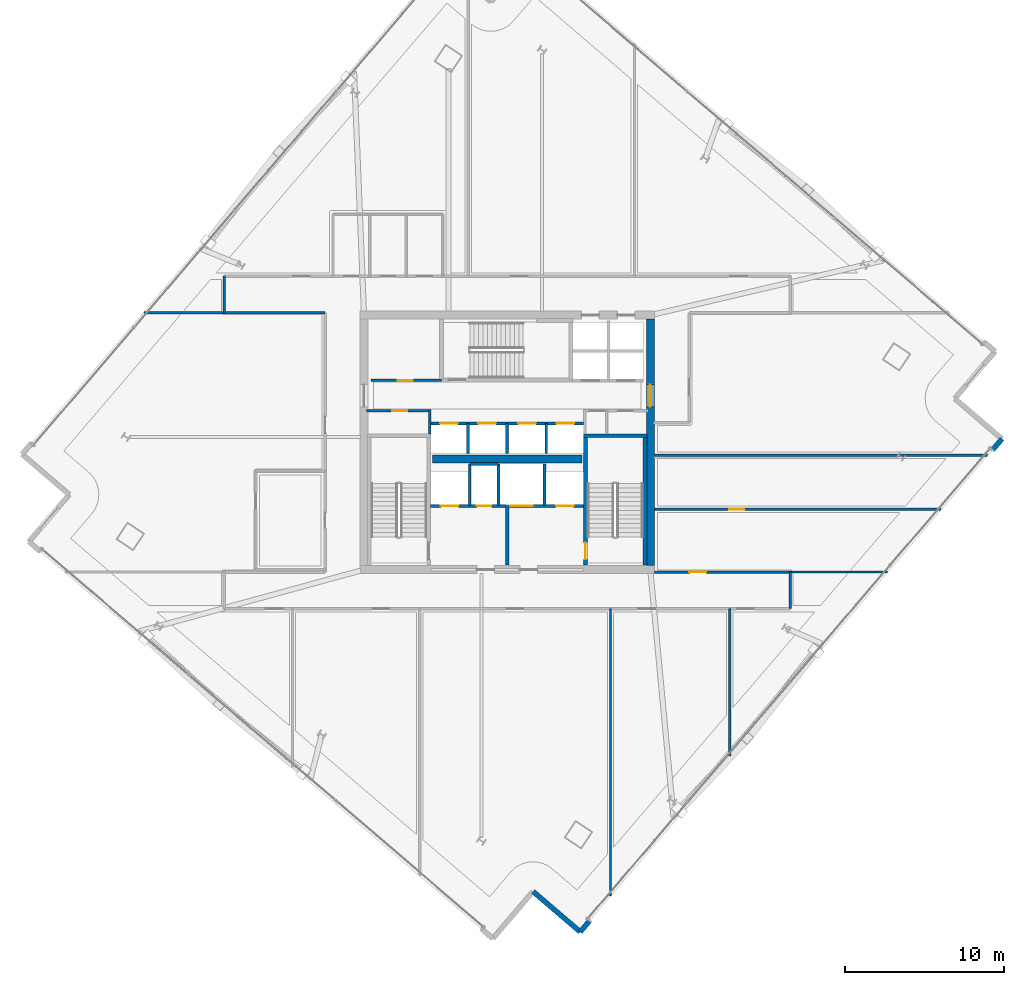
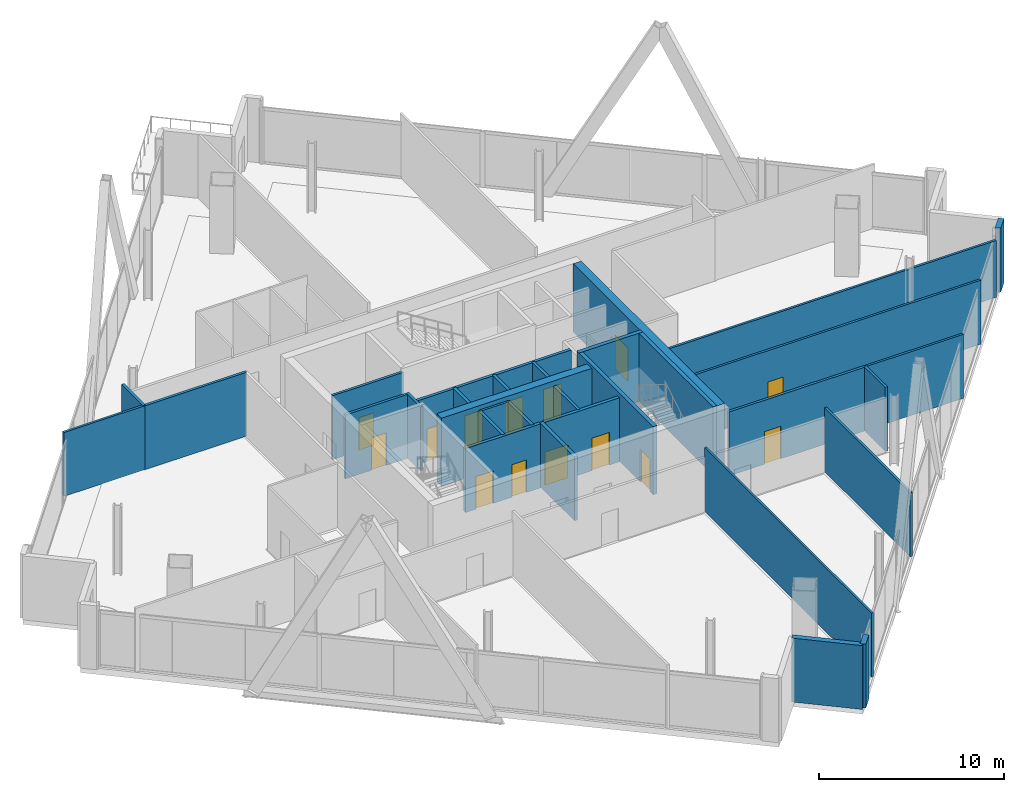
# One storey, part 19 of 26: 32 walls, 14 doors, 14 openings.
"""IFC4 building model written with IfcOpenShell, lengths in metres."""

import ifcopenshell
import ifcopenshell.guid

model = None  # the IFC model being written
_history = None  # IfcOwnerHistory: only IFC2X3 demands one
_inside = {}  # id of a spatial element -> (the spatial element, [elements in it])
_under = {}  # id of a project, library or spatial element -> (it, [spatial elements below it])
_declared = {}  # id of a project -> (the project, [libraries it declares])
_typed = {}  # id of a type object -> (the type object, [elements of that type])
_made_of = {}  # id of a material, layer set ... -> (it, [elements and type objects made of it])


def new_model(schema):
    """Start an empty IFC model of exactly this schema.

    Asked for "IFC4X3", IfcOpenShell would pick the latest addendum, in which some entities
    have other attributes; the version numbers below select the first issue.
    IFC2X3 requires an IfcOwnerHistory on every rooted entity: one is made here for all.
    """
    global model, _history
    if schema == "IFC4X3":
        model = ifcopenshell.file(schema_version=(4, 3, 0, 0))
    else:
        model = ifcopenshell.file(schema=schema)
    _inside.clear()
    _under.clear()
    _declared.clear()
    _typed.clear()
    _made_of.clear()
    _history = None
    if model.schema == "IFC2X3":
        org = make("IfcOrganization", Name="unknown")
        user = make(
            "IfcPersonAndOrganization",
            ThePerson=make("IfcPerson", FamilyName="unknown"),
            TheOrganization=org,
        )
        app = make(
            "IfcApplication",
            ApplicationDeveloper=org,
            Version="unknown",
            ApplicationFullName="unknown",
            ApplicationIdentifier="unknown",
        )
        _history = make(
            "IfcOwnerHistory",
            OwningUser=user,
            OwningApplication=app,
            ChangeAction="ADDED",
            CreationDate=0,
        )
    return model


def make(cls, **values):
    """One entity of the class cls with the attributes given. An attribute that is None is left unset."""
    return model.create_entity(
        cls, **{name: value for name, value in values.items() if value is not None}
    )


def rooted(cls, **values):
    """An entity with a GlobalId (a new one), such as an element, a storey or a relation."""
    return make(cls, GlobalId=ifcopenshell.guid.new(), OwnerHistory=_history, **values)


def si_unit(unit_type, name, prefix=None):
    """IfcSIUnit, for example si_unit("LENGTHUNIT", "METRE", prefix="MILLI")."""
    return make("IfcSIUnit", UnitType=unit_type, Prefix=prefix, Name=name)


def assignment(units):
    """IfcUnitAssignment: the units of a project."""
    return None if units is None else make("IfcUnitAssignment", Units=units)


def point(xyz):
    """IfcCartesianPoint."""
    return None if xyz is None else make("IfcCartesianPoint", Coordinates=xyz)


def direction(xyz):
    """IfcDirection."""
    return None if xyz is None else make("IfcDirection", DirectionRatios=xyz)


def frame(location, z_axis=None, x_axis=None):
    """IfcAxis2Placement3D, a coordinate frame: its origin and axes. An axis left out is left unset."""
    return make(
        "IfcAxis2Placement3D",
        Location=point(location),
        Axis=direction(z_axis),
        RefDirection=direction(x_axis),
    )


def frame_2d(location, x_axis=None):
    """IfcAxis2Placement2D, a coordinate frame in the plane: its origin and x axis."""
    return make(
        "IfcAxis2Placement2D", Location=point(location), RefDirection=direction(x_axis)
    )


def origin():
    """The frame at (0, 0, 0) with its axes left unset."""
    return frame((0.0, 0.0, 0.0))


def place(relative_to, where):
    """IfcLocalPlacement: puts the frame where relative to a parent placement (None: the world)."""
    return make(
        "IfcLocalPlacement", PlacementRelTo=relative_to, RelativePlacement=where
    )


def context(
    kind, dimensions, precision=None, world=None, true_north=None, identifier=None
):
    """IfcGeometricRepresentationContext, for example the 3D "Model" context."""
    return make(
        "IfcGeometricRepresentationContext",
        ContextIdentifier=identifier,
        ContextType=kind,
        CoordinateSpaceDimension=dimensions,
        Precision=precision,
        WorldCoordinateSystem=world,
        TrueNorth=true_north,
    )


def subcontext(parent, identifier, kind, view, scale=None):
    """IfcGeometricRepresentationSubContext, for example "Body" below "Model"."""
    return make(
        "IfcGeometricRepresentationSubContext",
        ContextIdentifier=identifier,
        ContextType=kind,
        ParentContext=parent,
        TargetScale=scale,
        TargetView=view,
    )


def project(units=None, contexts=None):
    """IfcProject with its units and contexts."""
    return rooted(
        "IfcProject",
        Name="project",
        RepresentationContexts=contexts,
        UnitsInContext=assignment(units),
    )


def spatial(cls, under=None, at=None, **own):
    """A site, building, storey or space (cls), placed at a placement, below another one or the project."""
    s = rooted(cls, ObjectPlacement=at, **own)
    if under is not None:
        _under.setdefault(under.id(), (under, []))[1].append(s)
    return s


def profile(cls, at=None, kind="AREA", **sizes):
    """A parametric profile (cls). Its sizes go by their IFC names, for example OverallWidth=200.0."""
    return make(cls, ProfileType=kind, Position=at, **sizes)


def rectangle(**sizes):
    """IfcRectangleProfileDef."""
    return profile("IfcRectangleProfileDef", **sizes)


def extrude(swept, where, along, depth):
    """IfcExtrudedAreaSolid: the profile swept, set in the frame where, extruded along a direction by depth."""
    return make(
        "IfcExtrudedAreaSolid",
        SweptArea=swept,
        Position=where,
        ExtrudedDirection=direction(along),
        Depth=depth,
    )


def shape(context_of_items, identifier, shape_type, items):
    """IfcShapeRepresentation: the items that make up one representation, for example the "Body"."""
    return make(
        "IfcShapeRepresentation",
        ContextOfItems=context_of_items,
        RepresentationIdentifier=identifier,
        RepresentationType=shape_type,
        Items=items,
    )


def material(Name=None, Category=None):
    """IfcMaterial."""
    return make("IfcMaterial", Name=Name, Category=Category)


def layer(
    of_material, thickness, ventilated=None, Name=None, Category=None, Priority=None
):
    """IfcMaterialLayer: one layer of a wall or slab, of a material (None: an air gap)."""
    return make(
        "IfcMaterialLayer",
        Material=of_material,
        LayerThickness=thickness,
        IsVentilated=ventilated,
        Name=Name,
        Category=Category,
        Priority=Priority,
    )


def layer_set(layers, Name=None):
    """IfcMaterialLayerSet."""
    return make("IfcMaterialLayerSet", MaterialLayers=layers, LayerSetName=Name)


def made_of(thing, what):
    """Note that an element or type object is made of a material, layer set ...; save() writes the relation."""
    if what is not None:
        _made_of.setdefault(what.id(), (what, []))[1].append(thing)
    return thing


def type_object(cls, material=None, **own):
    """A type object (cls), such as IfcWallType, which elements share."""
    return made_of(rooted(cls, **own), material)


def element(
    cls,
    number,
    at=None,
    inside=None,
    cuts=None,
    type_object=None,
    material=None,
    context=None,
    identifier="Body",
    shape_type=None,
    held_by="IfcProductDefinitionShape",
    body=None,
    shapes=None,
    **own,
):
    """One element of the class cls, such as IfcWall. Its Tag is "e" and its number.

    at: its placement. inside: the storey or other place that contains it. cuts: it is an
    opening in that element (IfcRelVoidsElement). A single representation is given by context,
    identifier, shape_type and body (its items); several are given by shapes. held_by: the class
    of the entity that holds the representations. save() writes the other relations.
    """
    e = rooted(cls, Tag="e%d" % number, ObjectPlacement=at, **own)
    if body is not None:
        shapes = [shape(context, identifier, shape_type, body)]
    if shapes is not None:
        e.Representation = make(held_by, Representations=shapes)
    if inside is not None:
        _inside.setdefault(inside.id(), (inside, []))[1].append(e)
    if cuts is not None:
        rooted(
            "IfcRelVoidsElement", RelatingBuildingElement=cuts, RelatedOpeningElement=e
        )
    if type_object is not None:
        _typed.setdefault(type_object.id(), (type_object, []))[1].append(e)
    return made_of(e, material)


def fill(opening, filler):
    """IfcRelFillsElement: the door or window that sits in an opening."""
    return rooted(
        "IfcRelFillsElement",
        RelatingOpeningElement=opening,
        RelatedBuildingElement=filler,
    )


def aggregate(whole, parts):
    """IfcRelAggregates: a whole, such as a stair, and the parts it consists of."""
    return rooted("IfcRelAggregates", RelatingObject=whole, RelatedObjects=parts)


def save(model, path):
    """Write the relations noted so far, then the file.

    IfcRelAggregates (storeys below a building ...), IfcRelContainedInSpatialStructure (elements
    in a storey), IfcRelDefinesByType, IfcRelAssociatesMaterial and IfcRelDeclares: one each for
    every whole, place, type object, material and project.
    """
    for whole, parts in _under.values():
        aggregate(whole, parts)
    for where, things in _inside.values():
        rooted(
            "IfcRelContainedInSpatialStructure",
            RelatedElements=things,
            RelatingStructure=where,
        )
    for kind, things in _typed.values():
        rooted("IfcRelDefinesByType", RelatedObjects=things, RelatingType=kind)
    for what, things in _made_of.values():
        rooted("IfcRelAssociatesMaterial", RelatedObjects=things, RelatingMaterial=what)
    for by, libraries in _declared.values():
        rooted("IfcRelDeclares", RelatingContext=by, RelatedDefinitions=libraries)
    model.write(path)


model = new_model("IFC4")

# Units and contexts
model_context = context("Model", 3, precision=1e-05, world=origin(), true_north=direction((0.0, 1.0)))
body_context = subcontext(model_context, "Body", "Model", "MODEL_VIEW")
ifc_project = project(units=[si_unit("LENGTHUNIT", "METRE"), si_unit("AREAUNIT", "SQUARE_METRE"), si_unit("VOLUMEUNIT", "CUBIC_METRE"), si_unit("PLANEANGLEUNIT", "RADIAN"), si_unit("MASSUNIT", "GRAM", prefix="KILO")], contexts=[model_context])

# Site, building, storey
site_placement = place(None, origin())
site = spatial("IfcSite", under=ifc_project, at=site_placement, CompositionType="ELEMENT")
building_placement = place(site_placement, origin())
building = spatial("IfcBuilding", under=site, at=building_placement, Name="Haldenkirk Collegiate Tower", CompositionType="ELEMENT")
storey_placement = place(building_placement, frame((0.0, 0.0, 193.949951171875)))
storey = spatial("IfcBuildingStorey", under=building, at=storey_placement, Name="L48", CompositionType="ELEMENT", Elevation=193.949951171875)

# Wall, opening, door
ifc_material_1 = material(Name="Concrete f'c 55 MPa", Category="concrete")
ifc_layer_1 = layer(ifc_material_1, 0.5)
ifc_layer_set_1 = layer_set([ifc_layer_1], Name="Concrete f'c 55 MPa")
wall_type_1 = type_object("IfcWallType", Name="WL-CORE-500", PredefinedType="SHEAR", material=ifc_layer_set_1)
wall_1_placement = place(storey_placement, frame((45.0, 18.25, 0.0), z_axis=(0.0, 0.0, 1.0), x_axis=(0.0, 1.0, 0.0)))
wall_1 = element("IfcWall", 1, at=wall_1_placement, inside=storey, type_object=wall_type_1, Name="L48 central core shear wall E", PredefinedType="SHEAR", context=body_context, shape_type="SweptSolid", body=[
    extrude(rectangle(XDim=15.5, YDim=0.5, at=frame_2d((7.75, 0.0))), origin(), (0.0, 0.0, 1.0), 4.5),
])
opening_1_placement = place(wall_1_placement, frame((9.989990234375, 0.0, 0.0)))
opening_1 = element("IfcOpeningElement", 2, at=opening_1_placement, cuts=wall_1, Name="Opening D-03", PredefinedType="OPENING", context=body_context, shape_type="SweptSolid", body=[
    extrude(rectangle(XDim=1.39990234375, YDim=2.199951171875, at=frame_2d((0.699951171875, 1.10009765625))), frame((0.0, 0.260009765625, 0.0), z_axis=(0.0, -1.0, 0.0), x_axis=(1.0, 0.0, 0.0)), (0.0, 0.0, 1.0), 0.52001953125),
])
ifc_material_2 = material(Name="Galvanized fire-rated hollow steel door", Category="steel")
ifc_layer_2 = layer(ifc_material_2, 0.06005859375)
ifc_layer_set_2 = layer_set([ifc_layer_2], Name="Galvanized fire-rated hollow steel door")
door_type_1 = type_object("IfcDoorType", Name="DR-LOBBY-FD90-1400", OperationType="NOTDEFINED", PredefinedType="DOOR", material=ifc_layer_set_2)
door_1_placement = place(opening_1_placement, origin())
door_1 = element("IfcDoor", 3, at=door_1_placement, inside=storey, type_object=door_type_1, Name="L48 east lift lobby portal", OperationType="DOUBLE_DOOR_SINGLE_SWING", OverallHeight=2.199951171875, OverallWidth=1.39990234375, PredefinedType="DOOR", context=body_context, shape_type="SweptSolid", body=[
    extrude(rectangle(XDim=1.39990234375, YDim=2.199951171875, at=frame_2d((0.699951171875, 1.10009765625))), frame((0.0, 0.02490234375, 0.0), z_axis=(0.0, -1.0, 0.0), x_axis=(1.0, 0.0, 0.0)), (0.0, 0.0, 1.0), 0.050048828125),
])
fill(opening_1, door_1)

# Walls
wall_2_placement = place(storey_placement, frame((31.31005859375, 24.949951171875, 0.0), z_axis=(0.0, 0.0, 1.0), x_axis=(1.0, 0.0, 0.0)))
element("IfcWall", 4, at=wall_2_placement, inside=storey, type_object=wall_type_1, Name="L48 central core spine shear wall", PredefinedType="SHEAR", context=body_context, shape_type="SweptSolid", body=[
    extrude(rectangle(XDim=9.3798828125, YDim=0.5, at=frame_2d((4.68994140625, 0.0))), origin(), (0.0, 0.0, 1.0), 4.5),
])
ifc_material_3 = material(Name="Precast concrete f'c 40 MPa", Category="concrete")
ifc_layer_3 = layer(ifc_material_3, 0.320068359375)
ifc_layer_set_3 = layer_set([ifc_layer_3], Name="Precast concrete f'c 40 MPa")
wall_type_2 = type_object("IfcWallType", Name="WL-EXT-TWR-320", PredefinedType="STANDARD", material=ifc_layer_set_3)
for number, where, z_axis, x_axis, name in (
    (5, (67.118408203125, 26.22314453125, 0.0), (0.0, 0.0, 1.0), (-0.650031411695, -0.759907338963, 0.0), "L48 precast corner pier SL"),
    (6, (41.178955078125, -4.094482421875, 0.0), (0.0, 0.0, 1.0), (-0.650031411695, -0.759907338963, 0.0), "L48 precast corner pier SR"),
):
    element("IfcWall", number, at=place(storey_placement, frame(where, z_axis=z_axis, x_axis=x_axis)), inside=storey, type_object=wall_type_2, Name=name, PredefinedType="STANDARD", context=body_context, shape_type="SweptSolid", body=[
        extrude(rectangle(XDim=0.89990234375, YDim=0.320068359375, at=frame_2d((0.449951171875, 0.0))), origin(), (0.0, 0.0, 1.0), 4.219970703125),
    ])
wall_3_placement = place(storey_placement, frame((40.593994140625, -4.7783203125, 0.0), z_axis=(0.0, 0.0, 1.0), x_axis=(-0.759844000319, 0.650105449276, 0.0)))
element("IfcWall", 7, at=wall_3_placement, inside=storey, type_object=wall_type_2, Name="L48 bronze precast notch wall 12", PredefinedType="STANDARD", context=body_context, shape_type="SweptSolid", body=[
    extrude(rectangle(XDim=3.89990234375, YDim=0.320068359375, at=frame_2d((1.949951171875, 0.0))), origin(), (0.0, 0.0, 1.0), 4.219970703125),
])

# Wall, opening, door
ifc_material_4 = material(Name="Acoustic fire-rated gypsum partition", Category="concrete")
ifc_layer_4 = layer(ifc_material_4, 0.159912109375)
ifc_layer_set_4 = layer_set([ifc_layer_4], Name="Acoustic fire-rated gypsum partition")
wall_type_3 = type_object("IfcWallType", Name="WL-INT-CORR-160", PredefinedType="PARTITIONING", material=ifc_layer_set_4)
wall_4_placement = place(storey_placement, frame((27.14990234375, 27.97998046875, 0.0), z_axis=(0.0, 0.0, 1.0), x_axis=(1.0, 0.0, 0.0)))
wall_4 = element("IfcWall", 8, at=wall_4_placement, inside=storey, type_object=wall_type_3, Name="L48 interior partition IW-L48-VCSW-N", PredefinedType="PARTITIONING", context=body_context, shape_type="SweptSolid", body=[
    extrude(rectangle(XDim=4.050048828125, YDim=0.159912109375, at=frame_2d((2.02490234375, 0.0))), origin(), (0.0, 0.0, 1.0), 4.219970703125),
])
opening_2_placement = place(wall_4_placement, frame((1.625, 0.0, 0.0)))
opening_2 = element("IfcOpeningElement", 9, at=opening_2_placement, cuts=wall_4, Name="Opening D-10", PredefinedType="OPENING", context=body_context, shape_type="SweptSolid", body=[
    extrude(rectangle(XDim=0.949951171875, YDim=2.14990234375, at=frame_2d((0.47509765625, 1.074951171875))), frame((0.0, 0.08984375, 0.0), z_axis=(0.0, -1.0, 0.0), x_axis=(1.0, 0.0, 0.0)), (0.0, 0.0, 1.0), 0.179931640625),
])
ifc_material_5 = material(Name="Solid-core architectural oak fire door", Category="wood")
ifc_layer_5 = layer(ifc_material_5, 0.06005859375)
ifc_layer_set_5 = layer_set([ifc_layer_5], Name="Solid-core architectural oak fire door")
door_type_2 = type_object("IfcDoorType", Name="DR-INT-FD60-950", OperationType="NOTDEFINED", PredefinedType="DOOR", material=ifc_layer_set_5)
door_2_placement = place(opening_2_placement, origin())
door_2 = element("IfcDoor", 10, at=door_2_placement, inside=storey, type_object=door_type_2, Name="L48 core tea pantry door", OperationType="SINGLE_SWING_LEFT", OverallHeight=2.14990234375, OverallWidth=0.949951171875, PredefinedType="DOOR", context=body_context, shape_type="SweptSolid", body=[
    extrude(rectangle(XDim=0.949951171875, YDim=2.14990234375, at=frame_2d((0.47509765625, 1.074951171875))), frame((0.0, 0.02490234375, 0.0), z_axis=(0.0, -1.0, 0.0), x_axis=(1.0, 0.0, 0.0)), (0.0, 0.0, 1.0), 0.050048828125),
])
fill(opening_2, door_2)

# Wall
wall_5_placement = place(storey_placement, frame((31.1201171875, 26.5400390625, 0.0), z_axis=(0.0, 0.0, 1.0), x_axis=(0.0, 1.0, 0.0)))
element("IfcWall", 11, at=wall_5_placement, inside=storey, type_object=wall_type_3, Name="L48 interior partition IW-L48-VCSW-E", PredefinedType="PARTITIONING", context=body_context, shape_type="SweptSolid", body=[
    extrude(rectangle(XDim=1.510009765625, YDim=0.159912109375, at=frame_2d((0.7548828125, 0.0))), origin(), (0.0, 0.0, 1.0), 4.219970703125),
])

# Wall, opening, door
wall_6_placement = place(storey_placement, frame((27.449951171875, 29.89990234375, 0.0), z_axis=(0.0, 0.0, 1.0), x_axis=(1.0, 0.0, 0.0)))
wall_6 = element("IfcWall", 12, at=wall_6_placement, inside=storey, type_object=wall_type_3, Name="L48 interior partition IW-L48-PLS", PredefinedType="PARTITIONING", context=body_context, shape_type="SweptSolid", body=[
    extrude(rectangle(XDim=4.429931640625, YDim=0.159912109375, at=frame_2d((2.21484375, 0.0))), origin(), (0.0, 0.0, 1.0), 4.219970703125),
])
opening_3_placement = place(wall_6_placement, frame((1.675048828125, 0.0, 0.0)))
opening_3 = element("IfcOpeningElement", 13, at=opening_3_placement, cuts=wall_6, Name="Opening D-10", PredefinedType="OPENING", context=body_context, shape_type="SweptSolid", body=[
    extrude(rectangle(XDim=0.949951171875, YDim=2.14990234375, at=frame_2d((0.47509765625, 1.074951171875))), frame((0.0, 0.08984375, 0.0), z_axis=(0.0, -1.0, 0.0), x_axis=(1.0, 0.0, 0.0)), (0.0, 0.0, 1.0), 0.179931640625),
])
door_3_placement = place(opening_3_placement, origin())
door_3 = element("IfcDoor", 14, at=door_3_placement, inside=storey, type_object=door_type_2, Name="L48 archive door", OperationType="SINGLE_SWING_RIGHT", OverallHeight=2.14990234375, OverallWidth=0.949951171875, PredefinedType="DOOR", context=body_context, shape_type="SweptSolid", body=[
    extrude(rectangle(XDim=0.949951171875, YDim=2.14990234375, at=frame_2d((0.47509765625, 1.074951171875))), frame((0.0, 0.02490234375, 0.0), z_axis=(0.0, -1.0, 0.0), x_axis=(1.0, 0.0, 0.0)), (0.0, 0.0, 1.0), 0.050048828125),
])
fill(opening_3, door_3)

wall_7_placement = place(storey_placement, frame((45.25, 17.85009765625, 0.0), z_axis=(0.0, 0.0, 1.0), x_axis=(1.0, 0.0, 0.0)))
wall_7 = element("IfcWall", 15, at=wall_7_placement, inside=storey, type_object=wall_type_3, Name="L48 interior partition IW-L48-CSE", PredefinedType="PARTITIONING", context=body_context, shape_type="SweptSolid", body=[
    extrude(rectangle(XDim=8.550048828125, YDim=0.159912109375, at=frame_2d((4.27490234375, 0.0))), origin(), (0.0, 0.0, 1.0), 4.219970703125),
])
opening_4_placement = place(wall_7_placement, frame((2.2109375, 0.0, 0.0)))
opening_4 = element("IfcOpeningElement", 16, at=opening_4_placement, cuts=wall_7, Name="Opening D-09", PredefinedType="OPENING", context=body_context, shape_type="SweptSolid", body=[
    extrude(rectangle(XDim=1.050048828125, YDim=2.14990234375, at=frame_2d((0.52490234375, 1.074951171875))), frame((0.0, 0.08984375, 0.0), z_axis=(0.0, -1.0, 0.0), x_axis=(1.0, 0.0, 0.0)), (0.0, 0.0, 1.0), 0.179931640625),
])
ifc_layer_6 = layer(ifc_material_5, 0.06005859375)
ifc_layer_set_6 = layer_set([ifc_layer_6], Name="Solid-core architectural oak fire door")
door_type_3 = type_object("IfcDoorType", Name="DR-INT-FD60-1050", OperationType="NOTDEFINED", PredefinedType="DOOR", material=ifc_layer_set_6)
door_4_placement = place(opening_4_placement, origin())
door_4 = element("IfcDoor", 17, at=door_4_placement, inside=storey, type_object=door_type_3, Name="L48 Graduate Study Lounge 10 door", OperationType="SINGLE_SWING_LEFT", OverallHeight=2.14990234375, OverallWidth=1.050048828125, PredefinedType="DOOR", context=body_context, shape_type="SweptSolid", body=[
    extrude(rectangle(XDim=1.050048828125, YDim=2.14990234375, at=frame_2d((0.52490234375, 1.074951171875))), frame((0.0, 0.02490234375, 0.0), z_axis=(0.0, -1.0, 0.0), x_axis=(1.0, 0.0, 0.0)), (0.0, 0.0, 1.0), 0.050048828125),
])
fill(opening_4, door_4)

# Walls
wall_8_placement = place(storey_placement, frame((18.199951171875, 34.14990234375, 0.0), z_axis=(0.0, 0.0, 1.0), x_axis=(1.0, 0.0, 0.0)))
element("IfcWall", 18, at=wall_8_placement, inside=storey, type_object=wall_type_3, Name="L48 interior partition IW-L48-CNW", PredefinedType="PARTITIONING", context=body_context, shape_type="SweptSolid", body=[
    extrude(rectangle(XDim=6.35009765625, YDim=0.159912109375, at=frame_2d((3.175048828125, 0.0))), origin(), (0.0, 0.0, 1.0), 4.219970703125),
])
for number, where, z_axis, x_axis, name in (
    (19, (53.800048828125, 15.550048828125, 0.0), (0.0, 0.0, 1.0), (0.0, 1.0, 0.0), "L48 interior partition IW-L48-CSR"),
    (20, (18.199951171875, 34.14990234375, 0.0), (0.0, 0.0, 1.0), (0.0, 1.0, 0.0), "L48 interior partition IW-L48-CNL"),
):
    element("IfcWall", number, at=place(storey_placement, frame(where, z_axis=z_axis, x_axis=x_axis)), inside=storey, type_object=wall_type_3, Name=name, PredefinedType="PARTITIONING", context=body_context, shape_type="SweptSolid", body=[
        extrude(rectangle(XDim=2.300048828125, YDim=0.159912109375, at=frame_2d((1.14990234375, 0.0))), origin(), (0.0, 0.0, 1.0), 4.219970703125),
    ])
ifc_layer_7 = layer(ifc_material_4, 0.139892578125)
ifc_layer_set_7 = layer_set([ifc_layer_7], Name="Acoustic fire-rated gypsum partition")
wall_type_4 = type_object("IfcWallType", Name="WL-INT-DIV-140", PredefinedType="PARTITIONING", material=ifc_layer_set_7)
wall_9_placement = place(storey_placement, frame((13.15087890625, 34.14990234375, 0.0), z_axis=(0.0, 0.0, 1.0), x_axis=(1.0, 0.0, 0.0)))
element("IfcWall", 21, at=wall_9_placement, inside=storey, type_object=wall_type_4, Name="L48 interior partition IW-L48-BWN", PredefinedType="PARTITIONING", context=body_context, shape_type="SweptSolid", body=[
    extrude(rectangle(XDim=5.049072265625, YDim=0.139892578125, at=frame_2d((2.5244140625, 0.0))), origin(), (0.0, 0.0, 1.0), 4.219970703125),
])
wall_10_placement = place(storey_placement, frame((53.800048828125, 17.85009765625, 0.0), z_axis=(0.0, 0.0, 1.0), x_axis=(1.0, 0.0, 0.0)))
element("IfcWall", 22, at=wall_10_placement, inside=storey, type_object=wall_type_4, Name="L48 interior partition IW-L48-BES", PredefinedType="PARTITIONING", context=body_context, shape_type="SweptSolid", body=[
    extrude(rectangle(XDim=6.101806640625, YDim=0.139892578125, at=frame_2d((3.05078125, 0.0))), origin(), (0.0, 0.0, 1.0), 4.219970703125),
])
wall_11_placement = place(storey_placement, frame((50.0, 6.27685546875, 0.0), z_axis=(0.0, 0.0, 1.0), x_axis=(0.0, 1.0, 0.0)))
element("IfcWall", 23, at=wall_11_placement, inside=storey, type_object=wall_type_4, Name="L48 interior partition IW-L48-RS4", PredefinedType="PARTITIONING", context=body_context, shape_type="SweptSolid", body=[
    extrude(rectangle(XDim=9.273193359375, YDim=0.139892578125, at=frame_2d((4.63671875, 0.0))), origin(), (0.0, 0.0, 1.0), 4.219970703125),
])

# Wall, opening, door
wall_12_placement = place(storey_placement, frame((45.25, 21.800048828125, 0.0), z_axis=(0.0, 0.0, 1.0), x_axis=(1.0, 0.0, 0.0)))
wall_12 = element("IfcWall", 24, at=wall_12_placement, inside=storey, type_object=wall_type_4, Name="L48 interior partition IW-L48-RE1", PredefinedType="PARTITIONING", context=body_context, shape_type="SweptSolid", body=[
    extrude(rectangle(XDim=18.031494140625, YDim=0.139892578125, at=frame_2d((9.015625, 0.0))), origin(), (0.0, 0.0, 1.0), 4.219970703125),
])
opening_5_placement = place(wall_12_placement, frame((4.721923828125, 0.0, 0.0)))
opening_5 = element("IfcOpeningElement", 25, at=opening_5_placement, cuts=wall_12, Name="Opening D-12", PredefinedType="OPENING", context=body_context, shape_type="SweptSolid", body=[
    extrude(rectangle(XDim=0.949951171875, YDim=2.14990234375, at=frame_2d((0.47509765625, 1.074951171875))), frame((0.0, 0.079833984375, 0.0), z_axis=(0.0, -1.0, 0.0), x_axis=(1.0, 0.0, 0.0)), (0.0, 0.0, 1.0), 0.159912109375),
])
ifc_layer_8 = layer(ifc_material_5, 0.06005859375)
ifc_layer_set_8 = layer_set([ifc_layer_8], Name="Solid-core architectural oak fire door")
door_type_4 = type_object("IfcDoorType", Name="DR-INT-STD-950", OperationType="NOTDEFINED", PredefinedType="DOOR", material=ifc_layer_set_8)
door_5_placement = place(opening_5_placement, origin())
door_5 = element("IfcDoor", 26, at=door_5_placement, inside=storey, type_object=door_type_4, Name="L48 Special Collections Archive 11 door", OperationType="SINGLE_SWING_RIGHT", OverallHeight=2.14990234375, OverallWidth=0.949951171875, PredefinedType="DOOR", context=body_context, shape_type="SweptSolid", body=[
    extrude(rectangle(XDim=0.949951171875, YDim=2.14990234375, at=frame_2d((0.47509765625, 1.074951171875))), frame((0.0, 0.02490234375, 0.0), z_axis=(0.0, -1.0, 0.0), x_axis=(1.0, 0.0, 0.0)), (0.0, 0.0, 1.0), 0.050048828125),
])
fill(opening_5, door_5)

# Walls
wall_13_placement = place(storey_placement, frame((45.25, 25.199951171875, 0.0), z_axis=(0.0, 0.0, 1.0), x_axis=(1.0, 0.0, 0.0)))
element("IfcWall", 27, at=wall_13_placement, inside=storey, type_object=wall_type_4, Name="L48 interior partition IW-L48-RE2", PredefinedType="PARTITIONING", context=body_context, shape_type="SweptSolid", body=[
    extrude(rectangle(XDim=20.9404296875, YDim=0.139892578125, at=frame_2d((10.47021484375, 0.0))), origin(), (0.0, 0.0, 1.0), 3.758056640625),
])
ifc_material_6 = material(Name="Fire-rated gypsum shaftboard assembly", Category="concrete")
ifc_layer_9 = layer(ifc_material_6, 0.179931640625)
ifc_layer_set_9 = layer_set([ifc_layer_9], Name="Fire-rated gypsum shaftboard assembly")
wall_type_5 = type_object("IfcWallType", Name="WL-INT-SHAFT-180", PredefinedType="PARTITIONING", material=ifc_layer_set_9)
for number, where, z_axis, x_axis, name in (
    (28, (33.64990234375, 22.050048828125, 0.0), (0.0, 0.0, 1.0), (0.0, 1.0, 0.0), "L48 interior partition IW-L48-FL1E"),
    (29, (35.449951171875, 22.050048828125, 0.0), (0.0, 0.0, 1.0), (0.0, 1.0, 0.0), "L48 interior partition IW-L48-GL1W"),
):
    element("IfcWall", number, at=place(storey_placement, frame(where, z_axis=z_axis, x_axis=x_axis)), inside=storey, type_object=wall_type_5, Name=name, PredefinedType="PARTITIONING", context=body_context, shape_type="SweptSolid", body=[
        extrude(rectangle(XDim=2.599853515625, YDim=0.179931640625, at=frame_2d((1.2998046875, 0.0))), origin(), (0.0, 0.0, 1.0), 4.219970703125),
    ])
wall_14_placement = place(storey_placement, frame((33.64990234375, 24.64990234375, 0.0), z_axis=(0.0, 0.0, 1.0), x_axis=(1.0, 0.0, 0.0)))
element("IfcWall", 30, at=wall_14_placement, inside=storey, type_object=wall_type_5, Name="L48 interior partition IW-L48-RSRN", PredefinedType="PARTITIONING", context=body_context, shape_type="SweptSolid", body=[
    extrude(rectangle(XDim=1.800048828125, YDim=0.179931640625, at=frame_2d((0.89990234375, 0.0))), origin(), (0.0, 0.0, 1.0), 4.219970703125),
])
wall_15_placement = place(storey_placement, frame((38.35009765625, 22.050048828125, 0.0), z_axis=(0.0, 0.0, 1.0), x_axis=(0.0, 1.0, 0.0)))
element("IfcWall", 31, at=wall_15_placement, inside=storey, type_object=wall_type_5, Name="L48 interior partition IW-L48-GL1E", PredefinedType="PARTITIONING", context=body_context, shape_type="SweptSolid", body=[
    extrude(rectangle(XDim=2.599853515625, YDim=0.179931640625, at=frame_2d((1.2998046875, 0.0))), origin(), (0.0, 0.0, 1.0), 4.219970703125),
])

# Wall, openings, doors
wall_16_placement = place(storey_placement, frame((31.199951171875, 27.199951171875, 0.0), z_axis=(0.0, 0.0, 1.0), x_axis=(1.0, 0.0, 0.0)))
wall_16 = element("IfcWall", 32, at=wall_16_placement, inside=storey, type_object=wall_type_5, Name="L48 interior partition IW-L48-PHN", PredefinedType="PARTITIONING", context=body_context, shape_type="SweptSolid", body=[
    extrude(rectangle(XDim=9.60009765625, YDim=0.179931640625, at=frame_2d((4.800048828125, 0.0))), origin(), (0.0, 0.0, 1.0), 4.219970703125),
])
opening_6_placement = place(wall_16_placement, frame((0.590087890625, 0.0, 0.0)))
opening_6 = element("IfcOpeningElement", 33, at=opening_6_placement, cuts=wall_16, Name="Opening LD-11", PredefinedType="OPENING", context=body_context, shape_type="SweptSolid", body=[
    extrude(rectangle(XDim=1.10009765625, YDim=2.14990234375, at=frame_2d((0.550048828125, 1.074951171875))), frame((0.0, 0.099853515625, 0.0), z_axis=(0.0, -1.0, 0.0), x_axis=(1.0, 0.0, 0.0)), (0.0, 0.0, 1.0), 0.199951171875),
])
opening_7_placement = place(wall_16_placement, frame((2.989990234375, 0.0, 0.0)))
opening_7 = element("IfcOpeningElement", 34, at=opening_7_placement, cuts=wall_16, Name="Opening LD-11", PredefinedType="OPENING", context=body_context, shape_type="SweptSolid", body=[
    extrude(rectangle(XDim=1.10009765625, YDim=2.14990234375, at=frame_2d((0.550048828125, 1.074951171875))), frame((0.0, 0.099853515625, 0.0), z_axis=(0.0, -1.0, 0.0), x_axis=(1.0, 0.0, 0.0)), (0.0, 0.0, 1.0), 0.199951171875),
])
opening_8_placement = place(wall_16_placement, frame((5.510009765625, 0.0, 0.0)))
opening_8 = element("IfcOpeningElement", 35, at=opening_8_placement, cuts=wall_16, Name="Opening LD-11", PredefinedType="OPENING", context=body_context, shape_type="SweptSolid", body=[
    extrude(rectangle(XDim=1.10009765625, YDim=2.14990234375, at=frame_2d((0.550048828125, 1.074951171875))), frame((0.0, 0.099853515625, 0.0), z_axis=(0.0, -1.0, 0.0), x_axis=(1.0, 0.0, 0.0)), (0.0, 0.0, 1.0), 0.199951171875),
])
opening_9_placement = place(wall_16_placement, frame((7.909912109375, 0.0, 0.0)))
opening_9 = element("IfcOpeningElement", 36, at=opening_9_placement, cuts=wall_16, Name="Opening LD-11", PredefinedType="OPENING", context=body_context, shape_type="SweptSolid", body=[
    extrude(rectangle(XDim=1.10009765625, YDim=2.14990234375, at=frame_2d((0.550048828125, 1.074951171875))), frame((0.0, 0.099853515625, 0.0), z_axis=(0.0, -1.0, 0.0), x_axis=(1.0, 0.0, 0.0)), (0.0, 0.0, 1.0), 0.199951171875),
])
ifc_material_7 = material(Name="Brushed architectural stainless steel", Category="steel")
ifc_layer_10 = layer(ifc_material_7, 0.06005859375)
ifc_layer_set_10 = layer_set([ifc_layer_10], Name="Brushed architectural stainless steel")
door_type_5 = type_object("IfcDoorType", Name="LD-PASS-1100", OperationType="NOTDEFINED", PredefinedType="DOOR", material=ifc_layer_set_10)
door_6_placement = place(opening_6_placement, origin())
door_6 = element("IfcDoor", 37, at=door_6_placement, inside=storey, type_object=door_type_5, Name="L48 Elevator PH1 sliding landing door", OperationType="SLIDING_TO_LEFT", OverallHeight=2.14990234375, OverallWidth=1.10009765625, PredefinedType="DOOR", context=body_context, shape_type="SweptSolid", body=[
    extrude(rectangle(XDim=1.10009765625, YDim=2.14990234375, at=frame_2d((0.550048828125, 1.074951171875))), frame((0.0, 0.02490234375, 0.0), z_axis=(0.0, -1.0, 0.0), x_axis=(1.0, 0.0, 0.0)), (0.0, 0.0, 1.0), 0.050048828125),
])
fill(opening_6, door_6)
door_7_placement = place(opening_7_placement, origin())
door_7 = element("IfcDoor", 38, at=door_7_placement, inside=storey, type_object=door_type_5, Name="L48 Elevator PH2 sliding landing door", OperationType="SLIDING_TO_LEFT", OverallHeight=2.14990234375, OverallWidth=1.10009765625, PredefinedType="DOOR", context=body_context, shape_type="SweptSolid", body=[
    extrude(rectangle(XDim=1.10009765625, YDim=2.14990234375, at=frame_2d((0.550048828125, 1.074951171875))), frame((0.0, 0.02490234375, 0.0), z_axis=(0.0, -1.0, 0.0), x_axis=(1.0, 0.0, 0.0)), (0.0, 0.0, 1.0), 0.050048828125),
])
fill(opening_7, door_7)
door_8_placement = place(opening_8_placement, origin())
door_8 = element("IfcDoor", 39, at=door_8_placement, inside=storey, type_object=door_type_5, Name="L48 Elevator PH3 sliding landing door", OperationType="SLIDING_TO_LEFT", OverallHeight=2.14990234375, OverallWidth=1.10009765625, PredefinedType="DOOR", context=body_context, shape_type="SweptSolid", body=[
    extrude(rectangle(XDim=1.10009765625, YDim=2.14990234375, at=frame_2d((0.550048828125, 1.074951171875))), frame((0.0, 0.02490234375, 0.0), z_axis=(0.0, -1.0, 0.0), x_axis=(1.0, 0.0, 0.0)), (0.0, 0.0, 1.0), 0.050048828125),
])
fill(opening_8, door_8)
door_9_placement = place(opening_9_placement, origin())
door_9 = element("IfcDoor", 40, at=door_9_placement, inside=storey, type_object=door_type_5, Name="L48 Elevator PH4 sliding landing door", OperationType="SLIDING_TO_LEFT", OverallHeight=2.14990234375, OverallWidth=1.10009765625, PredefinedType="DOOR", context=body_context, shape_type="SweptSolid", body=[
    extrude(rectangle(XDim=1.10009765625, YDim=2.14990234375, at=frame_2d((0.550048828125, 1.074951171875))), frame((0.0, 0.02490234375, 0.0), z_axis=(0.0, -1.0, 0.0), x_axis=(1.0, 0.0, 0.0)), (0.0, 0.0, 1.0), 0.050048828125),
])
fill(opening_9, door_9)

# Walls
for number, where, z_axis, x_axis, name in (
    (41, (33.5400390625, 25.300048828125, 0.0), (0.0, 0.0, 1.0), (0.0, 1.0, 0.0), "L48 interior partition IW-L48-PHV1"),
    (42, (36.0, 25.300048828125, 0.0), (0.0, 0.0, 1.0), (0.0, 1.0, 0.0), "L48 interior partition IW-L48-PHV2"),
    (43, (38.4599609375, 25.300048828125, 0.0), (0.0, 0.0, 1.0), (0.0, 1.0, 0.0), "L48 interior partition IW-L48-PHV3"),
):
    element("IfcWall", number, at=place(storey_placement, frame(where, z_axis=z_axis, x_axis=x_axis)), inside=storey, type_object=wall_type_5, Name=name, PredefinedType="PARTITIONING", context=body_context, shape_type="SweptSolid", body=[
        extrude(rectangle(XDim=1.89990234375, YDim=0.179931640625, at=frame_2d((0.949951171875, 0.0))), origin(), (0.0, 0.0, 1.0), 4.219970703125),
    ])
ifc_layer_11 = layer(ifc_material_6, 0.199951171875)
ifc_layer_set_11 = layer_set([ifc_layer_11], Name="Fire-rated gypsum shaftboard assembly")
wall_type_6 = type_object("IfcWallType", Name="WL-INT-SHAFT-200", PredefinedType="PARTITIONING", material=ifc_layer_set_11)
wall_17_placement = place(storey_placement, frame((36.0, 18.280029296875, 0.0), z_axis=(0.0, 0.0, 1.0), x_axis=(0.0, 1.0, 0.0)))
element("IfcWall", 44, at=wall_17_placement, inside=storey, type_object=wall_type_6, Name="L48 interior partition IW-L48-FFLM", PredefinedType="PARTITIONING", context=body_context, shape_type="SweptSolid", body=[
    extrude(rectangle(XDim=3.77001953125, YDim=0.199951171875, at=frame_2d((1.885009765625, 0.0))), origin(), (0.0, 0.0, 1.0), 4.219970703125),
])

# Wall, openings, doors
wall_18_placement = place(storey_placement, frame((31.18994140625, 22.0, 0.0), z_axis=(0.0, 0.0, 1.0), x_axis=(1.0, 0.0, 0.0)))
wall_18 = element("IfcWall", 45, at=wall_18_placement, inside=storey, type_object=wall_type_6, Name="L48 interior partition IW-L48-FFL1N", PredefinedType="PARTITIONING", context=body_context, shape_type="SweptSolid", body=[
    extrude(rectangle(XDim=4.68994140625, YDim=0.199951171875, at=frame_2d((2.344970703125, 0.0))), origin(), (0.0, 0.0, 1.0), 4.219970703125),
])
opening_10_placement = place(wall_18_placement, frame((2.909912109375, 0.0, 0.0)))
opening_10 = element("IfcOpeningElement", 46, at=opening_10_placement, cuts=wall_18, Name="Opening D-06", PredefinedType="OPENING", context=body_context, shape_type="SweptSolid", body=[
    extrude(rectangle(XDim=0.89990234375, YDim=2.14990234375, at=frame_2d((0.449951171875, 1.074951171875))), frame((0.0, 0.10986328125, 0.0), z_axis=(0.0, -1.0, 0.0), x_axis=(1.0, 0.0, 0.0)), (0.0, 0.0, 1.0), 0.219970703125),
])
opening_11_placement = place(wall_18_placement, frame((0.635009765625, 0.0, 0.0)))
opening_11 = element("IfcOpeningElement", 47, at=opening_11_placement, cuts=wall_18, Name="Opening LD-12", PredefinedType="OPENING", context=body_context, shape_type="SweptSolid", body=[
    extrude(rectangle(XDim=1.10009765625, YDim=2.14990234375, at=frame_2d((0.550048828125, 1.074951171875))), frame((0.0, 0.10986328125, 0.0), z_axis=(0.0, -1.0, 0.0), x_axis=(1.0, 0.0, 0.0)), (0.0, 0.0, 1.0), 0.219970703125),
])
ifc_layer_12 = layer(ifc_material_2, 0.06005859375)
ifc_layer_set_12 = layer_set([ifc_layer_12], Name="Galvanized fire-rated hollow steel door")
door_type_6 = type_object("IfcDoorType", Name="DR-INT-FD90-900", OperationType="NOTDEFINED", PredefinedType="DOOR", material=ifc_layer_set_12)
door_10_placement = place(opening_10_placement, origin())
door_10 = element("IfcDoor", 48, at=door_10_placement, inside=storey, type_object=door_type_6, Name="L48 electrical riser door", OperationType="SINGLE_SWING_RIGHT", OverallHeight=2.14990234375, OverallWidth=0.89990234375, PredefinedType="DOOR", context=body_context, shape_type="SweptSolid", body=[
    extrude(rectangle(XDim=0.89990234375, YDim=2.14990234375, at=frame_2d((0.449951171875, 1.074951171875))), frame((0.0, 0.02490234375, 0.0), z_axis=(0.0, -1.0, 0.0), x_axis=(1.0, 0.0, 0.0)), (0.0, 0.0, 1.0), 0.050048828125),
])
fill(opening_10, door_10)
ifc_layer_13 = layer(ifc_material_7, 0.06005859375)
ifc_layer_set_13 = layer_set([ifc_layer_13], Name="Brushed architectural stainless steel")
door_type_7 = type_object("IfcDoorType", Name="LD-FIRE-1100", OperationType="NOTDEFINED", PredefinedType="DOOR", material=ifc_layer_set_13)
door_11_placement = place(opening_11_placement, origin())
door_11 = element("IfcDoor", 49, at=door_11_placement, inside=storey, type_object=door_type_7, Name="L48 Elevator FL1 sliding landing door", OperationType="SLIDING_TO_LEFT", OverallHeight=2.14990234375, OverallWidth=1.10009765625, PredefinedType="DOOR", context=body_context, shape_type="SweptSolid", body=[
    extrude(rectangle(XDim=1.10009765625, YDim=2.14990234375, at=frame_2d((0.550048828125, 1.074951171875))), frame((0.0, 0.02490234375, 0.0), z_axis=(0.0, -1.0, 0.0), x_axis=(1.0, 0.0, 0.0)), (0.0, 0.0, 1.0), 0.050048828125),
])
fill(opening_11, door_11)

wall_19_placement = place(storey_placement, frame((36.1201171875, 22.0, 0.0), z_axis=(0.0, 0.0, 1.0), x_axis=(1.0, 0.0, 0.0)))
wall_19 = element("IfcWall", 50, at=wall_19_placement, inside=storey, type_object=wall_type_6, Name="L48 interior partition IW-L48-FFL2N", PredefinedType="PARTITIONING", context=body_context, shape_type="SweptSolid", body=[
    extrude(rectangle(XDim=4.68994140625, YDim=0.199951171875, at=frame_2d((2.344970703125, 0.0))), origin(), (0.0, 0.0, 1.0), 4.219970703125),
])
opening_12_placement = place(wall_19_placement, frame((2.955078125, 0.0, 0.0)))
opening_12 = element("IfcOpeningElement", 51, at=opening_12_placement, cuts=wall_19, Name="Opening LD-12", PredefinedType="OPENING", context=body_context, shape_type="SweptSolid", body=[
    extrude(rectangle(XDim=1.10009765625, YDim=2.14990234375, at=frame_2d((0.550048828125, 1.074951171875))), frame((0.0, 0.10986328125, 0.0), z_axis=(0.0, -1.0, 0.0), x_axis=(1.0, 0.0, 0.0)), (0.0, 0.0, 1.0), 0.219970703125),
])
opening_13_placement = place(wall_19_placement, frame((0.080078125, 0.0, 0.0)))
opening_13 = element("IfcOpeningElement", 52, at=opening_13_placement, cuts=wall_19, Name="Opening LD-13", PredefinedType="OPENING", context=body_context, shape_type="SweptSolid", body=[
    extrude(rectangle(XDim=1.39990234375, YDim=2.199951171875, at=frame_2d((0.699951171875, 1.10009765625))), frame((0.0, 0.10986328125, 0.0), z_axis=(0.0, -1.0, 0.0), x_axis=(1.0, 0.0, 0.0)), (0.0, 0.0, 1.0), 0.219970703125),
])
door_12_placement = place(opening_12_placement, origin())
door_12 = element("IfcDoor", 53, at=door_12_placement, inside=storey, type_object=door_type_7, Name="L48 Elevator FL2 sliding landing door", OperationType="SLIDING_TO_LEFT", OverallHeight=2.14990234375, OverallWidth=1.10009765625, PredefinedType="DOOR", context=body_context, shape_type="SweptSolid", body=[
    extrude(rectangle(XDim=1.10009765625, YDim=2.14990234375, at=frame_2d((0.550048828125, 1.074951171875))), frame((0.0, 0.02490234375, 0.0), z_axis=(0.0, -1.0, 0.0), x_axis=(1.0, 0.0, 0.0)), (0.0, 0.0, 1.0), 0.050048828125),
])
fill(opening_12, door_12)
ifc_layer_14 = layer(ifc_material_7, 0.06005859375)
ifc_layer_set_14 = layer_set([ifc_layer_14], Name="Brushed architectural stainless steel")
door_type_8 = type_object("IfcDoorType", Name="LD-GOODS-1400", OperationType="NOTDEFINED", PredefinedType="DOOR", material=ifc_layer_set_14)
door_13_placement = place(opening_13_placement, origin())
door_13 = element("IfcDoor", 54, at=door_13_placement, inside=storey, type_object=door_type_8, Name="L48 Elevator GL1 sliding landing door", OperationType="SLIDING_TO_LEFT", OverallHeight=2.199951171875, OverallWidth=1.39990234375, PredefinedType="DOOR", context=body_context, shape_type="SweptSolid", body=[
    extrude(rectangle(XDim=1.39990234375, YDim=2.199951171875, at=frame_2d((0.699951171875, 1.10009765625))), frame((0.0, 0.02490234375, 0.0), z_axis=(0.0, -1.0, 0.0), x_axis=(1.0, 0.0, 0.0)), (0.0, 0.0, 1.0), 0.050048828125),
])
fill(opening_13, door_13)

# Wall
ifc_layer_15 = layer(ifc_material_4, 0.1201171875)
ifc_layer_set_15 = layer_set([ifc_layer_15], Name="Acoustic fire-rated gypsum partition")
wall_type_7 = type_object("IfcWallType", Name="WL-INT-WET-120", PredefinedType="PARTITIONING", material=ifc_layer_set_15)
wall_20_placement = place(storey_placement, frame((42.5, -2.489013671875, 0.0), z_axis=(0.0, 0.0, 1.0), x_axis=(0.0, 1.0, 0.0)))
element("IfcWall", 55, at=wall_20_placement, inside=storey, type_object=wall_type_7, Name="L48 interior partition IW-L48-RS3", PredefinedType="PARTITIONING", context=body_context, shape_type="SweptSolid", body=[
    extrude(rectangle(XDim=18.0390625, YDim=0.1201171875, at=frame_2d((9.01953125, 0.0))), origin(), (0.0, 0.0, 1.0), 4.219970703125),
])

# Wall, opening, door
ifc_layer_16 = layer(ifc_material_1, 0.239990234375)
ifc_layer_set_16 = layer_set([ifc_layer_16], Name="Concrete f'c 55 MPa")
wall_type_8 = type_object("IfcWallType", Name="WL-SHAFT-240", PredefinedType="SHEAR", material=ifc_layer_set_16)
wall_21_placement = place(storey_placement, frame((40.929931640625, 18.280029296875, 0.0), z_axis=(0.0, 0.0, 1.0), x_axis=(0.0, 1.0, 0.0)))
wall_21 = element("IfcWall", 56, at=wall_21_placement, inside=storey, type_object=wall_type_8, Name="L48 stair shaft shear wall SW-L48-ST2W", PredefinedType="SHEAR", context=body_context, shape_type="SweptSolid", body=[
    extrude(rectangle(XDim=8.260009765625, YDim=0.239990234375, at=frame_2d((4.1298828125, 0.0))), origin(), (0.0, 0.0, 1.0), 4.5),
])
opening_14_placement = place(wall_21_placement, frame((0.364990234375, 0.0, 0.0)))
opening_14 = element("IfcOpeningElement", 57, at=opening_14_placement, cuts=wall_21, Name="Opening D-01", PredefinedType="OPENING", context=body_context, shape_type="SweptSolid", body=[
    extrude(rectangle(XDim=1.050048828125, YDim=2.14990234375, at=frame_2d((0.52490234375, 1.074951171875))), frame((0.0, 0.1298828125, 0.0), z_axis=(0.0, -1.0, 0.0), x_axis=(1.0, 0.0, 0.0)), (0.0, 0.0, 1.0), 0.260009765625),
])
ifc_layer_17 = layer(ifc_material_2, 0.06005859375)
ifc_layer_set_17 = layer_set([ifc_layer_17], Name="Galvanized fire-rated hollow steel door")
door_type_9 = type_object("IfcDoorType", Name="DR-STAIR-FD90-1050", OperationType="NOTDEFINED", PredefinedType="DOOR", material=ifc_layer_set_17)
door_14_placement = place(opening_14_placement, origin())
door_14 = element("IfcDoor", 58, at=door_14_placement, inside=storey, type_object=door_type_9, Name="L48 Stair 2 door", OperationType="SINGLE_SWING_RIGHT", OverallHeight=2.14990234375, OverallWidth=1.050048828125, PredefinedType="DOOR", context=body_context, shape_type="SweptSolid", body=[
    extrude(rectangle(XDim=1.050048828125, YDim=2.14990234375, at=frame_2d((0.52490234375, 1.074951171875))), frame((0.0, 0.02490234375, 0.0), z_axis=(0.0, -1.0, 0.0), x_axis=(1.0, 0.0, 0.0)), (0.0, 0.0, 1.0), 0.050048828125),
])
fill(opening_14, door_14)

# Walls
wall_22_placement = place(storey_placement, frame((40.81005859375, 26.419921875, 0.0), z_axis=(0.0, 0.0, 1.0), x_axis=(1.0, 0.0, 0.0)))
element("IfcWall", 59, at=wall_22_placement, inside=storey, type_object=wall_type_8, Name="L48 stair shaft shear wall SW-L48-ST2N", PredefinedType="SHEAR", context=body_context, shape_type="SweptSolid", body=[
    extrude(rectangle(XDim=3.97998046875, YDim=0.239990234375, at=frame_2d((1.989990234375, 0.0))), origin(), (0.0, 0.0, 1.0), 4.5),
])
wall_23_placement = place(storey_placement, frame((44.669921875, 18.280029296875, 0.0), z_axis=(0.0, 0.0, 1.0), x_axis=(0.0, 1.0, 0.0)))
element("IfcWall", 60, at=wall_23_placement, inside=storey, type_object=wall_type_8, Name="L48 stair shaft shear wall SW-L48-ST2E", PredefinedType="SHEAR", context=body_context, shape_type="SweptSolid", body=[
    extrude(rectangle(XDim=8.260009765625, YDim=0.239990234375, at=frame_2d((4.1298828125, 0.0))), origin(), (0.0, 0.0, 1.0), 4.5),
])

save(model, "model.ifc")
